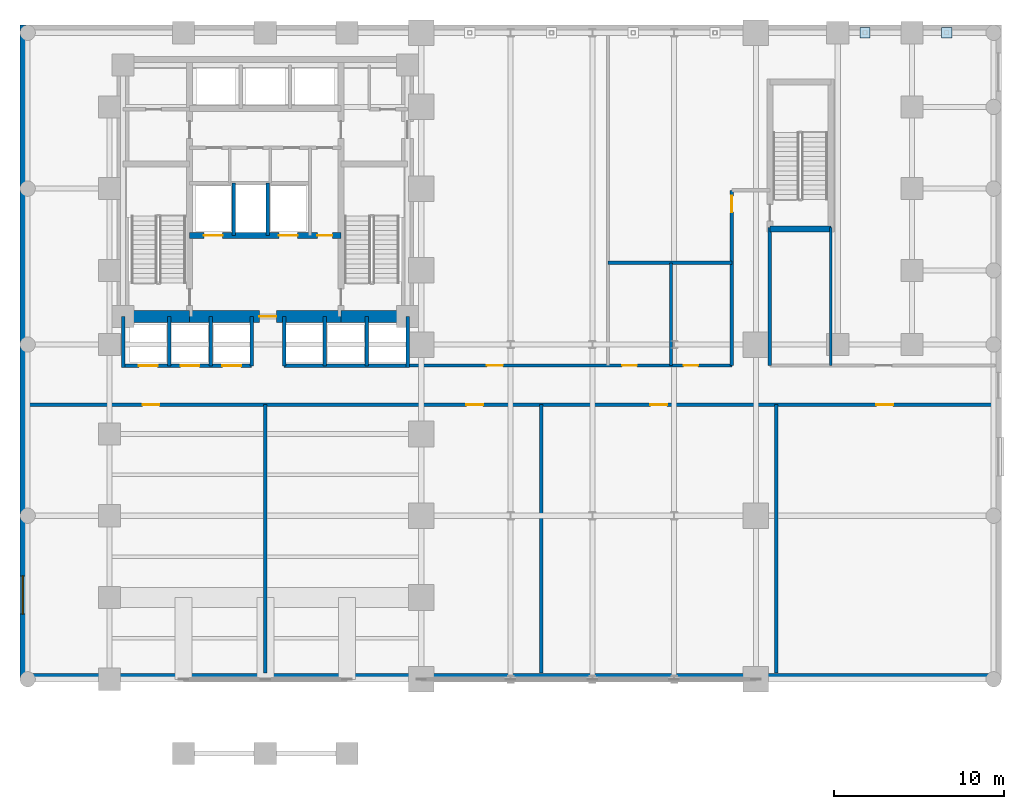
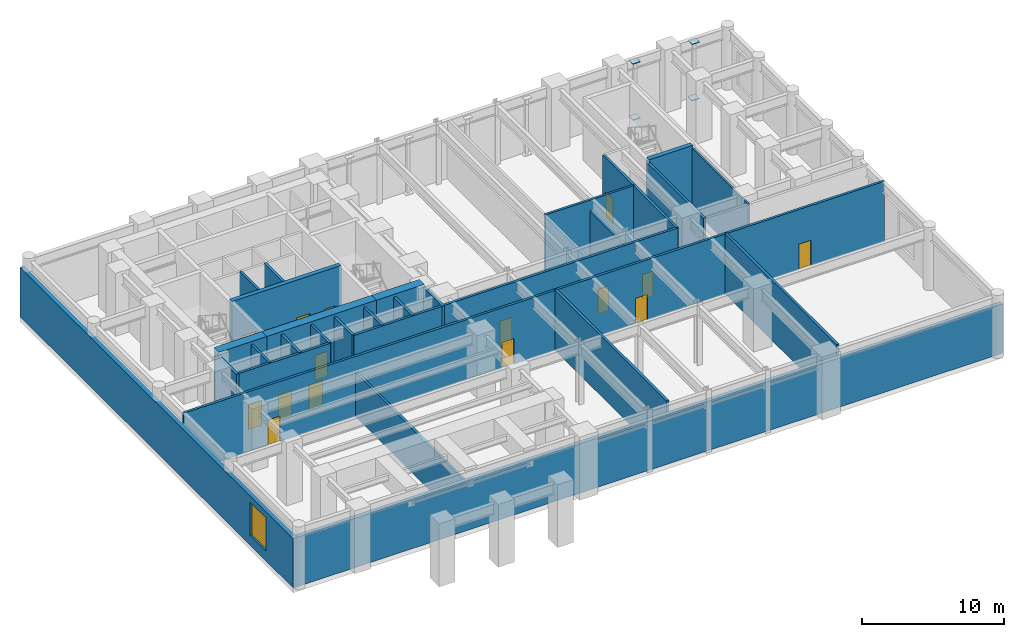
# One storey, part 6 of 10: 29 walls, 15 doors, 4 plates, 1 window, 16 openings.
"""IFC4 building model written with IfcOpenShell, lengths in metres."""

from ifc_helpers import new_model, si_unit, direction, frame, frame_2d, origin, origin_2d, place, context, subcontext, project, spatial, rectangle, extrude, material, layer, layer_set, type_object, element, fill, save


model = new_model("IFC4")

# Units and contexts
model_context = context("Model", 3, precision=1e-05, world=origin(), true_north=direction((0.0, 1.0)))
body_context = subcontext(model_context, "Body", "Model", "MODEL_VIEW")
ifc_project = project(units=[si_unit("LENGTHUNIT", "METRE"), si_unit("AREAUNIT", "SQUARE_METRE"), si_unit("VOLUMEUNIT", "CUBIC_METRE"), si_unit("PLANEANGLEUNIT", "RADIAN"), si_unit("MASSUNIT", "GRAM", prefix="KILO")], contexts=[model_context])

# Site, building, storey
site_placement = place(None, origin())
site = spatial("IfcSite", under=ifc_project, at=site_placement, CompositionType="ELEMENT")
building_placement = place(site_placement, origin())
building = spatial("IfcBuilding", under=site, at=building_placement, Name="Orvandelia Arch Residences", CompositionType="ELEMENT")
storey_placement = place(building_placement, frame((0.0, 0.0, 19.60009765625)))
storey = spatial("IfcBuildingStorey", under=building, at=storey_placement, Name="L04", CompositionType="ELEMENT", Elevation=19.60009765625)

# Plates
ifc_material_1 = material(Name="Structural Steel HSA650 (650 MPa)", Category="steel")
ifc_layer_1 = layer(ifc_material_1, 0.050048828125, Name="Structural Steel HSA650 (650 MPa)", Category="steel")
ifc_layer_set_1 = layer_set([ifc_layer_1], Name="Structural Steel HSA650 (650 MPa)")
plate_type = type_object("IfcPlateType", Name="PLT-BASE-600", PredefinedType="USERDEFINED", material=ifc_layer_set_1)
for number, where, z_axis, x_axis, name in (
    (1, (49.60009765625, 47.550048828125, 0.0), (0.0, 0.0, 1.0), (1.0, 0.0, 0.0), "Stiffener Post Base Plate BP-5"),
    (2, (49.60009765625, 47.550048828125, 4.82470703125), (0.0, 0.0, 1.0), (1.0, 0.0, 0.0), "Stiffener Post Cap Plate BP-5"),
    (3, (54.39990234375, 47.550048828125, 0.0), (0.0, 0.0, 1.0), (1.0, 0.0, 0.0), "Stiffener Post Base Plate BP-6"),
    (4, (54.39990234375, 47.550048828125, 4.82470703125), (0.0, 0.0, 1.0), (1.0, 0.0, 0.0), "Stiffener Post Cap Plate BP-6"),
):
    element("IfcPlate", number, at=place(storey_placement, frame(where, z_axis=z_axis, x_axis=x_axis)), inside=storey, type_object=plate_type, Name=name, ObjectType="BASE_PLATE", PredefinedType="USERDEFINED", context=body_context, shape_type="SweptSolid", body=[
        extrude(rectangle(XDim=0.60009765625, YDim=0.60009765625, at=origin_2d()), origin(), (0.0, 0.0, 1.0), 0.050048828125),
    ])

# Wall, openings, doors
ifc_material_2 = material(Name="Concrete C50/60", Category="concrete")
ifc_layer_2 = layer(ifc_material_2, 0.35009765625, Name="Concrete C50/60", Category="concrete")
ifc_layer_set_2 = layer_set([ifc_layer_2], Name="Concrete C50/60")
wall_type_1 = type_object("IfcWallType", Name="WL-CORE-350", PredefinedType="SHEAR", material=ifc_layer_set_2)
wall_1_placement = place(storey_placement, frame((9.9599609375, 35.64990234375, 0.0), z_axis=(0.0, 0.0, 1.0), x_axis=(1.0, 0.0, 0.0)))
wall_1 = element("IfcWall", 5, at=wall_1_placement, inside=storey, type_object=wall_type_1, Name="Core Shear Wall L04-HZ3", PredefinedType="SHEAR", context=body_context, shape_type="SweptSolid", body=[
    extrude(rectangle(XDim=8.880126953125, YDim=0.35009765625, at=frame_2d((4.43994140625, 0.0))), origin(), (0.0, 0.0, 1.0), 5.39990234375),
])
opening_1_placement = place(wall_1_placement, frame((0.840087890625, 0.0, 0.0)))
opening_1 = element("IfcOpeningElement", 6, at=opening_1_placement, cuts=wall_1, Name="Opening FLD", PredefinedType="OPENING", context=body_context, shape_type="SweptSolid", body=[
    extrude(rectangle(XDim=1.10009765625, YDim=2.14990234375, at=frame_2d((0.550048828125, 1.074951171875))), frame((0.0, 0.18505859375, 0.0), z_axis=(0.0, -1.0, 0.0), x_axis=(1.0, 0.0, 0.0)), (0.0, 0.0, 1.0), 0.3701171875),
])
opening_2_placement = place(wall_1_placement, frame((5.239990234375, 0.0, 0.0)))
opening_2 = element("IfcOpeningElement", 7, at=opening_2_placement, cuts=wall_1, Name="Opening FLD", PredefinedType="OPENING", context=body_context, shape_type="SweptSolid", body=[
    extrude(rectangle(XDim=1.10009765625, YDim=2.14990234375, at=frame_2d((0.550048828125, 1.074951171875))), frame((0.0, 0.18505859375, 0.0), z_axis=(0.0, -1.0, 0.0), x_axis=(1.0, 0.0, 0.0)), (0.0, 0.0, 1.0), 0.3701171875),
])
opening_3_placement = place(wall_1_placement, frame((7.5, 0.0, 0.0)))
opening_3 = element("IfcOpeningElement", 8, at=opening_3_placement, cuts=wall_1, Name="Opening D5", PredefinedType="OPENING", context=body_context, shape_type="SweptSolid", body=[
    extrude(rectangle(XDim=0.8798828125, YDim=2.10009765625, at=frame_2d((0.43994140625, 1.050048828125))), frame((0.0, 0.18505859375, 0.0), z_axis=(0.0, -1.0, 0.0), x_axis=(1.0, 0.0, 0.0)), (0.0, 0.0, 1.0), 0.3701171875),
])
ifc_material_3 = material(Name="Firefighting Lift Stainless Sliding Door")
door_type_1 = type_object("IfcDoorType", Name="DR-FLFT-1100", OperationType="NOTDEFINED", PredefinedType="DOOR", material=ifc_material_3)
door_1_placement = place(opening_1_placement, origin())
door_1 = element("IfcDoor", 9, at=door_1_placement, inside=storey, type_object=door_type_1, Name="Firefighting Lift Landing Door FLD-FL1-L04", OperationType="SLIDING_TO_LEFT", OverallHeight=2.14990234375, OverallWidth=1.10009765625, PredefinedType="DOOR", context=body_context, shape_type="SweptSolid", body=[
    extrude(rectangle(XDim=1.10009765625, YDim=2.14990234375, at=frame_2d((0.550048828125, 1.074951171875))), frame((0.0, 0.02490234375, 0.0), z_axis=(0.0, -1.0, 0.0), x_axis=(1.0, 0.0, 0.0)), (0.0, 0.0, 1.0), 0.050048828125),
])
fill(opening_1, door_1)
door_2_placement = place(opening_2_placement, origin())
door_2 = element("IfcDoor", 10, at=door_2_placement, inside=storey, type_object=door_type_1, Name="Firefighting Lift Landing Door FLD-FL2-L04", OperationType="SLIDING_TO_RIGHT", OverallHeight=2.14990234375, OverallWidth=1.10009765625, PredefinedType="DOOR", context=body_context, shape_type="SweptSolid", body=[
    extrude(rectangle(XDim=1.10009765625, YDim=2.14990234375, at=frame_2d((0.550048828125, 1.074951171875))), frame((0.0, 0.02490234375, 0.0), z_axis=(0.0, -1.0, 0.0), x_axis=(1.0, 0.0, 0.0)), (0.0, 0.0, 1.0), 0.050048828125),
])
fill(opening_2, door_2)
ifc_material_4 = material(Name="Painted Galvanised Steel Service Door", Category="steel")
door_type_2 = type_object("IfcDoorType", Name="DR-SRV-880", OperationType="NOTDEFINED", PredefinedType="DOOR", material=ifc_material_4)
door_3_placement = place(opening_3_placement, origin())
door_3 = element("IfcDoor", 11, at=door_3_placement, inside=storey, type_object=door_type_2, Name="Core Stairway Passage South Fire Door L04", OperationType="SINGLE_SWING_LEFT", OverallHeight=2.10009765625, OverallWidth=0.8798828125, PredefinedType="DOOR", context=body_context, shape_type="SweptSolid", body=[
    extrude(rectangle(XDim=0.8798828125, YDim=2.10009765625, at=frame_2d((0.43994140625, 1.050048828125))), frame((0.0, 0.02490234375, 0.0), z_axis=(0.0, -1.0, 0.0), x_axis=(1.0, 0.0, 0.0)), (0.0, 0.0, 1.0), 0.050048828125),
])
fill(opening_3, door_3)

# Walls
wall_2_placement = place(storey_placement, frame((44.02001953125, 36.0400390625, 0.0), z_axis=(0.0, 0.0, 1.0), x_axis=(1.0, 0.0, 0.0)))
element("IfcWall", 12, at=wall_2_placement, inside=storey, type_object=wall_type_1, Name="East Stair Core Shear Wall L04-S", PredefinedType="SHEAR", context=body_context, shape_type="SweptSolid", body=[
    extrude(rectangle(XDim=3.580078125, YDim=0.35009765625, at=frame_2d((1.7900390625, 0.0))), origin(), (0.0, 0.0, 1.0), 5.39990234375),
])
ifc_material_5 = material(Name="Concrete C80/95", Category="concrete")
ifc_layer_3 = layer(ifc_material_5, 0.699951171875, Name="Concrete C80/95", Category="concrete")
ifc_layer_set_3 = layer_set([ifc_layer_3], Name="Concrete C80/95")
wall_type_2 = type_object("IfcWallType", Name="WL-CORE-700", PredefinedType="SHEAR", material=ifc_layer_set_3)
wall_3_placement = place(storey_placement, frame((6.050048828125, 30.89990234375, 0.0), z_axis=(0.0, 0.0, 1.0), x_axis=(1.0, 0.0, 0.0)))
element("IfcWall", 13, at=wall_3_placement, inside=storey, type_object=wall_type_2, Name="Core Shear Wall L04-SW", PredefinedType="SHEAR", context=body_context, shape_type="SweptSolid", body=[
    extrude(rectangle(XDim=3.909912109375, YDim=0.699951171875, at=frame_2d((1.955078125, 0.0))), origin(), (0.0, 0.0, 1.0), 5.39990234375),
])

# Wall, opening, door
wall_4_placement = place(storey_placement, frame((9.9599609375, 30.89990234375, 0.0), z_axis=(0.0, 0.0, 1.0), x_axis=(1.0, 0.0, 0.0)))
wall_4 = element("IfcWall", 14, at=wall_4_placement, inside=storey, type_object=wall_type_2, Name="Core Shear Wall L04-SM", PredefinedType="SHEAR", context=body_context, shape_type="SweptSolid", body=[
    extrude(rectangle(XDim=8.880126953125, YDim=0.699951171875, at=frame_2d((4.43994140625, 0.0))), origin(), (0.0, 0.0, 1.0), 5.39990234375),
])
opening_4_placement = place(wall_4_placement, frame((4.090087890625, 0.0, 0.0)))
opening_4 = element("IfcOpeningElement", 15, at=opening_4_placement, cuts=wall_4, Name="Opening D6", PredefinedType="OPENING", context=body_context, shape_type="SweptSolid", body=[
    extrude(rectangle(XDim=1.0, YDim=2.14990234375, at=frame_2d((0.5, 1.074951171875))), frame((0.0, 0.35986328125, 0.0), z_axis=(0.0, -1.0, 0.0), x_axis=(1.0, 0.0, 0.0)), (0.0, 0.0, 1.0), 0.719970703125),
])
ifc_material_6 = material(Name="Smokeproof Painted Steel Fire Door", Category="steel")
door_type_3 = type_object("IfcDoorType", Name="DR-FD60-1000", OperationType="NOTDEFINED", PredefinedType="DOOR", material=ifc_material_6)
door_4_placement = place(opening_4_placement, origin())
door_4 = element("IfcDoor", 16, at=door_4_placement, inside=storey, type_object=door_type_3, Name="Firefighting Lobby Smokeproof Door L04", OperationType="SINGLE_SWING_LEFT", OverallHeight=2.14990234375, OverallWidth=1.0, PredefinedType="DOOR", context=body_context, shape_type="SweptSolid", body=[
    extrude(rectangle(XDim=1.0, YDim=2.14990234375, at=frame_2d((0.5, 1.074951171875))), frame((0.0, 0.02490234375, 0.0), z_axis=(0.0, -1.0, 0.0), x_axis=(1.0, 0.0, 0.0)), (0.0, 0.0, 1.0), 0.050048828125),
])
fill(opening_4, door_4)

# Wall
wall_5_placement = place(storey_placement, frame((18.840087890625, 30.89990234375, 0.0), z_axis=(0.0, 0.0, 1.0), x_axis=(1.0, 0.0, 0.0)))
element("IfcWall", 17, at=wall_5_placement, inside=storey, type_object=wall_type_2, Name="Core Shear Wall L04-SE", PredefinedType="SHEAR", context=body_context, shape_type="SweptSolid", body=[
    extrude(rectangle(XDim=3.909912109375, YDim=0.699951171875, at=frame_2d((1.955078125, 0.0))), origin(), (0.0, 0.0, 1.0), 5.39990234375),
])

# Wall, openings, doors
ifc_material_7 = material(Name="Fire-Rated Corridor Partition")
ifc_layer_4 = layer(ifc_material_7, 0.199951171875, Name="Fire-Rated Corridor Partition")
ifc_layer_set_4 = layer_set([ifc_layer_4], Name="Fire-Rated Corridor Partition")
wall_type_3 = type_object("IfcWallType", Name="WL-CORR-200", PredefinedType="PARTITIONING", material=ifc_layer_set_4)
wall_6_placement = place(storey_placement, frame((0.360107421875, 25.719970703125, 0.0), z_axis=(0.0, 0.0, 1.0), x_axis=(1.0, 0.0, 0.0)))
wall_6 = element("IfcWall", 18, at=wall_6_placement, inside=storey, type_object=wall_type_3, Name="Interior Partition Wall WL-L04-BRG-S", PredefinedType="PARTITIONING", context=body_context, shape_type="SweptSolid", body=[
    extrude(rectangle(XDim=56.8798828125, YDim=0.199951171875, at=frame_2d((28.43994140625, 0.0))), origin(), (0.0, 0.0, 1.0), 5.14990234375),
])
opening_5_placement = place(wall_6_placement, frame((6.840087890625, 0.0, 0.0)))
opening_5 = element("IfcOpeningElement", 19, at=opening_5_placement, cuts=wall_6, Name="Opening D1", PredefinedType="OPENING", context=body_context, shape_type="SweptSolid", body=[
    extrude(rectangle(XDim=0.97998046875, YDim=2.179931640625, at=frame_2d((0.489990234375, 1.08984375))), frame((0.0, 0.10986328125, 0.0), z_axis=(0.0, -1.0, 0.0), x_axis=(1.0, 0.0, 0.0)), (0.0, 0.0, 1.0), 0.219970703125),
])
opening_6_placement = place(wall_6_placement, frame((25.840087890625, 0.0, 0.0)))
opening_6 = element("IfcOpeningElement", 20, at=opening_6_placement, cuts=wall_6, Name="Opening D1", PredefinedType="OPENING", context=body_context, shape_type="SweptSolid", body=[
    extrude(rectangle(XDim=0.97998046875, YDim=2.179931640625, at=frame_2d((0.489990234375, 1.08984375))), frame((0.0, 0.10986328125, 0.0), z_axis=(0.0, -1.0, 0.0), x_axis=(1.0, 0.0, 0.0)), (0.0, 0.0, 1.0), 0.219970703125),
])
opening_7_placement = place(wall_6_placement, frame((36.639892578125, 0.0, 0.0)))
opening_7 = element("IfcOpeningElement", 21, at=opening_7_placement, cuts=wall_6, Name="Opening D1", PredefinedType="OPENING", context=body_context, shape_type="SweptSolid", body=[
    extrude(rectangle(XDim=0.97998046875, YDim=2.179931640625, at=frame_2d((0.489990234375, 1.08984375))), frame((0.0, 0.10986328125, 0.0), z_axis=(0.0, -1.0, 0.0), x_axis=(1.0, 0.0, 0.0)), (0.0, 0.0, 1.0), 0.219970703125),
])
opening_8_placement = place(wall_6_placement, frame((49.9150390625, 0.0, 0.0)))
opening_8 = element("IfcOpeningElement", 22, at=opening_8_placement, cuts=wall_6, Name="Opening D1", PredefinedType="OPENING", context=body_context, shape_type="SweptSolid", body=[
    extrude(rectangle(XDim=0.97998046875, YDim=2.179931640625, at=frame_2d((0.489990234375, 1.08984375))), frame((0.0, 0.10986328125, 0.0), z_axis=(0.0, -1.0, 0.0), x_axis=(1.0, 0.0, 0.0)), (0.0, 0.0, 1.0), 0.219970703125),
])
ifc_material_8 = material(Name="Solid-Core Timber Acoustic Fire Door", Category="wood")
door_type_4 = type_object("IfcDoorType", Name="DR-ENT-980", OperationType="NOTDEFINED", PredefinedType="DOOR", material=ifc_material_8)
door_5_placement = place(opening_5_placement, origin())
door_5 = element("IfcDoor", 23, at=door_5_placement, inside=storey, type_object=door_type_4, Name="DR-L04-PS1", OperationType="SINGLE_SWING_LEFT", OverallHeight=2.179931640625, OverallWidth=0.97998046875, PredefinedType="DOOR", context=body_context, shape_type="SweptSolid", body=[
    extrude(rectangle(XDim=0.97998046875, YDim=2.179931640625, at=frame_2d((0.489990234375, 1.08984375))), frame((0.0, 0.02490234375, 0.0), z_axis=(0.0, -1.0, 0.0), x_axis=(1.0, 0.0, 0.0)), (0.0, 0.0, 1.0), 0.050048828125),
])
fill(opening_5, door_5)
door_6_placement = place(opening_6_placement, origin())
door_6 = element("IfcDoor", 24, at=door_6_placement, inside=storey, type_object=door_type_4, Name="DR-L04-PS2", OperationType="SINGLE_SWING_RIGHT", OverallHeight=2.179931640625, OverallWidth=0.97998046875, PredefinedType="DOOR", context=body_context, shape_type="SweptSolid", body=[
    extrude(rectangle(XDim=0.97998046875, YDim=2.179931640625, at=frame_2d((0.489990234375, 1.08984375))), frame((0.0, 0.02490234375, 0.0), z_axis=(0.0, -1.0, 0.0), x_axis=(1.0, 0.0, 0.0)), (0.0, 0.0, 1.0), 0.050048828125),
])
fill(opening_6, door_6)
door_7_placement = place(opening_7_placement, origin())
door_7 = element("IfcDoor", 25, at=door_7_placement, inside=storey, type_object=door_type_4, Name="DR-L04-PS3", OperationType="SINGLE_SWING_LEFT", OverallHeight=2.179931640625, OverallWidth=0.97998046875, PredefinedType="DOOR", context=body_context, shape_type="SweptSolid", body=[
    extrude(rectangle(XDim=0.97998046875, YDim=2.179931640625, at=frame_2d((0.489990234375, 1.08984375))), frame((0.0, 0.02490234375, 0.0), z_axis=(0.0, -1.0, 0.0), x_axis=(1.0, 0.0, 0.0)), (0.0, 0.0, 1.0), 0.050048828125),
])
fill(opening_7, door_7)
door_8_placement = place(opening_8_placement, origin())
door_8 = element("IfcDoor", 26, at=door_8_placement, inside=storey, type_object=door_type_4, Name="DR-L04-PS4", OperationType="SINGLE_SWING_RIGHT", OverallHeight=2.179931640625, OverallWidth=0.97998046875, PredefinedType="DOOR", context=body_context, shape_type="SweptSolid", body=[
    extrude(rectangle(XDim=0.97998046875, YDim=2.179931640625, at=frame_2d((0.489990234375, 1.08984375))), frame((0.0, 0.02490234375, 0.0), z_axis=(0.0, -1.0, 0.0), x_axis=(1.0, 0.0, 0.0)), (0.0, 0.0, 1.0), 0.050048828125),
])
fill(opening_8, door_8)

wall_7_placement = place(storey_placement, frame((22.75, 28.02001953125, 0.0), z_axis=(0.0, 0.0, 1.0), x_axis=(1.0, 0.0, 0.0)))
wall_7 = element("IfcWall", 27, at=wall_7_placement, inside=storey, type_object=wall_type_3, Name="Interior Partition Wall WL-L04-BRG-N", PredefinedType="PARTITIONING", context=body_context, shape_type="SweptSolid", body=[
    extrude(rectangle(XDim=19.030029296875, YDim=0.199951171875, at=frame_2d((9.51513671875, 0.0))), origin(), (0.0, 0.0, 1.0), 5.14990234375),
])
opening_9_placement = place(wall_7_placement, frame((4.64990234375, 0.0, 0.0)))
opening_9 = element("IfcOpeningElement", 28, at=opening_9_placement, cuts=wall_7, Name="Opening D2", PredefinedType="OPENING", context=body_context, shape_type="SweptSolid", body=[
    extrude(rectangle(XDim=0.949951171875, YDim=2.14990234375, at=frame_2d((0.47509765625, 1.074951171875))), frame((0.0, 0.10986328125, 0.0), z_axis=(0.0, -1.0, 0.0), x_axis=(1.0, 0.0, 0.0)), (0.0, 0.0, 1.0), 0.219970703125),
])
opening_10_placement = place(wall_7_placement, frame((12.60009765625, 0.0, 0.0)))
opening_10 = element("IfcOpeningElement", 29, at=opening_10_placement, cuts=wall_7, Name="Opening D4", PredefinedType="OPENING", context=body_context, shape_type="SweptSolid", body=[
    extrude(rectangle(XDim=0.860107421875, YDim=2.10009765625, at=frame_2d((0.43017578125, 1.050048828125))), frame((0.0, 0.10986328125, 0.0), z_axis=(0.0, -1.0, 0.0), x_axis=(1.0, 0.0, 0.0)), (0.0, 0.0, 1.0), 0.219970703125),
])
opening_11_placement = place(wall_7_placement, frame((16.199951171875, 0.0, 0.0)))
opening_11 = element("IfcOpeningElement", 30, at=opening_11_placement, cuts=wall_7, Name="Opening D4", PredefinedType="OPENING", context=body_context, shape_type="SweptSolid", body=[
    extrude(rectangle(XDim=0.860107421875, YDim=2.10009765625, at=frame_2d((0.43017578125, 1.050048828125))), frame((0.0, 0.10986328125, 0.0), z_axis=(0.0, -1.0, 0.0), x_axis=(1.0, 0.0, 0.0)), (0.0, 0.0, 1.0), 0.219970703125),
])
ifc_material_9 = material(Name="Solid-Core Timber Interior Fire Door", Category="wood")
door_type_5 = type_object("IfcDoorType", Name="DR-APT-950", OperationType="NOTDEFINED", PredefinedType="DOOR", material=ifc_material_9)
door_9_placement = place(opening_9_placement, origin())
door_9 = element("IfcDoor", 31, at=door_9_placement, inside=storey, type_object=door_type_5, Name="DR-L04-PN1", OperationType="SINGLE_SWING_LEFT", OverallHeight=2.14990234375, OverallWidth=0.949951171875, PredefinedType="DOOR", context=body_context, shape_type="SweptSolid", body=[
    extrude(rectangle(XDim=0.949951171875, YDim=2.14990234375, at=frame_2d((0.47509765625, 1.074951171875))), frame((0.0, 0.02490234375, 0.0), z_axis=(0.0, -1.0, 0.0), x_axis=(1.0, 0.0, 0.0)), (0.0, 0.0, 1.0), 0.050048828125),
])
fill(opening_9, door_9)
ifc_material_10 = material(Name="Moisture-Sealed Timber Bathroom Door", Category="wood")
door_type_6 = type_object("IfcDoorType", Name="DR-WET-900", OperationType="NOTDEFINED", PredefinedType="DOOR", material=ifc_material_10)
door_10_placement = place(opening_10_placement, origin())
door_10 = element("IfcDoor", 32, at=door_10_placement, inside=storey, type_object=door_type_6, Name="DR-L04-PWC", OperationType="SINGLE_SWING_RIGHT", OverallHeight=2.10009765625, OverallWidth=0.860107421875, PredefinedType="DOOR", context=body_context, shape_type="SweptSolid", body=[
    extrude(rectangle(XDim=0.860107421875, YDim=2.10009765625, at=frame_2d((0.43017578125, 1.050048828125))), frame((0.0, 0.02490234375, 0.0), z_axis=(0.0, -1.0, 0.0), x_axis=(1.0, 0.0, 0.0)), (0.0, 0.0, 1.0), 0.050048828125),
])
fill(opening_10, door_10)
door_11_placement = place(opening_11_placement, origin())
door_11 = element("IfcDoor", 33, at=door_11_placement, inside=storey, type_object=door_type_6, Name="DR-L04-PWCA", OperationType="SINGLE_SWING_LEFT", OverallHeight=2.10009765625, OverallWidth=0.860107421875, PredefinedType="DOOR", context=body_context, shape_type="SweptSolid", body=[
    extrude(rectangle(XDim=0.860107421875, YDim=2.10009765625, at=frame_2d((0.43017578125, 1.050048828125))), frame((0.0, 0.02490234375, 0.0), z_axis=(0.0, -1.0, 0.0), x_axis=(1.0, 0.0, 0.0)), (0.0, 0.0, 1.0), 0.050048828125),
])
fill(opening_11, door_11)

# Wall, opening, door
wall_8_placement = place(storey_placement, frame((41.780029296875, 28.02001953125, 0.0), z_axis=(0.0, 0.0, 1.0), x_axis=(0.0, 1.0, 0.0)))
wall_8 = element("IfcWall", 34, at=wall_8_placement, inside=storey, type_object=wall_type_3, Name="Interior Partition Wall WL-L04-BRG-SW", PredefinedType="PARTITIONING", context=body_context, shape_type="SweptSolid", body=[
    extrude(rectangle(XDim=10.280029296875, YDim=0.199951171875, at=frame_2d((5.14013671875, 0.0))), origin(), (0.0, 0.0, 1.0), 5.14990234375),
])
opening_12_placement = place(wall_8_placement, frame((9.0, 0.0, 0.0)))
opening_12 = element("IfcOpeningElement", 35, at=opening_12_placement, cuts=wall_8, Name="Opening D2", PredefinedType="OPENING", context=body_context, shape_type="SweptSolid", body=[
    extrude(rectangle(XDim=0.949951171875, YDim=2.14990234375, at=frame_2d((0.47509765625, 1.074951171875))), frame((0.0, 0.10986328125, 0.0), z_axis=(0.0, -1.0, 0.0), x_axis=(1.0, 0.0, 0.0)), (0.0, 0.0, 1.0), 0.219970703125),
])
door_12_placement = place(opening_12_placement, origin())
door_12 = element("IfcDoor", 36, at=door_12_placement, inside=storey, type_object=door_type_5, Name="DR-L04-PN2", OperationType="SINGLE_SWING_RIGHT", OverallHeight=2.14990234375, OverallWidth=0.949951171875, PredefinedType="DOOR", context=body_context, shape_type="SweptSolid", body=[
    extrude(rectangle(XDim=0.949951171875, YDim=2.14990234375, at=frame_2d((0.47509765625, 1.074951171875))), frame((0.0, 0.02490234375, 0.0), z_axis=(0.0, -1.0, 0.0), x_axis=(1.0, 0.0, 0.0)), (0.0, 0.0, 1.0), 0.050048828125),
])
fill(opening_12, door_12)

# Walls
wall_9_placement = place(storey_placement, frame((44.02001953125, 28.02001953125, 0.0), z_axis=(0.0, 0.0, 1.0), x_axis=(0.0, 1.0, 0.0)))
element("IfcWall", 37, at=wall_9_placement, inside=storey, type_object=wall_type_3, Name="Interior Partition Wall WL-L04-BRG-SE", PredefinedType="PARTITIONING", context=body_context, shape_type="SweptSolid", body=[
    extrude(rectangle(XDim=8.10009765625, YDim=0.199951171875, at=frame_2d((4.050048828125, 0.0))), origin(), (0.0, 0.0, 1.0), 5.14990234375),
])
ifc_material_11 = material(Name="Concrete C40/50", Category="concrete")
ifc_layer_5 = layer(ifc_material_11, 0.199951171875, Name="Concrete C40/50", Category="concrete")
ifc_layer_set_5 = layer_set([ifc_layer_5], Name="Concrete C40/50")
wall_type_4 = type_object("IfcWallType", Name="WL-DEM-200", PredefinedType="SOLIDWALL", material=ifc_layer_set_5)
wall_10_placement = place(storey_placement, frame((14.39990234375, 9.9599609375, 0.0), z_axis=(0.0, 0.0, 1.0), x_axis=(0.0, 1.0, 0.0)))
element("IfcWall", 38, at=wall_10_placement, inside=storey, type_object=wall_type_4, Name="Interior Partition Wall WL-L04-SD-1", PredefinedType="SOLIDWALL", context=body_context, shape_type="SweptSolid", body=[
    extrude(rectangle(XDim=15.760009765625, YDim=0.199951171875, at=frame_2d((7.8798828125, 0.0))), origin(), (0.0, 0.0, 1.0), 3.77978515625),
])
for number, where, z_axis, x_axis, name in (
    (39, (30.60009765625, 9.9599609375, 0.0), (0.0, 0.0, 1.0), (0.0, 1.0, 0.0), "Interior Partition Wall WL-L04-SD-2"),
    (40, (44.39990234375, 9.9599609375, 0.0), (0.0, 0.0, 1.0), (0.0, 1.0, 0.0), "Interior Partition Wall WL-L04-SD-3"),
):
    element("IfcWall", number, at=place(storey_placement, frame(where, z_axis=z_axis, x_axis=x_axis)), inside=storey, type_object=wall_type_4, Name=name, PredefinedType="SOLIDWALL", context=body_context, shape_type="SweptSolid", body=[
        extrude(rectangle(XDim=15.760009765625, YDim=0.199951171875, at=frame_2d((7.8798828125, 0.0))), origin(), (0.0, 0.0, 1.0), 5.14990234375),
    ])
ifc_material_12 = material(Name="Precast concrete C40/50", Category="concrete")
ifc_layer_6 = layer(ifc_material_12, 0.35009765625, Name="Precast concrete C40/50", Category="concrete")
ifc_layer_set_6 = layer_set([ifc_layer_6], Name="Precast concrete C40/50")
wall_type_5 = type_object("IfcWallType", Name="WL-EXT-POD-350", PredefinedType="STANDARD", material=ifc_layer_set_6)
wall_11_placement = place(storey_placement, frame((57.60009765625, 9.77490234375, 0.0), z_axis=(0.0, 0.0, 1.0), x_axis=(-1.0, 0.0, 0.0)))
element("IfcWall", 41, at=wall_11_placement, inside=storey, type_object=wall_type_5, Name="Coral-Limestone Precast Facade Wall L04-003", PredefinedType="STANDARD", context=body_context, shape_type="SweptSolid", body=[
    extrude(rectangle(XDim=57.60009765625, YDim=0.35009765625, at=frame_2d((28.800048828125, 0.0))), origin(), (0.0, 0.0, 1.0), 4.22998046875),
])

# Wall, opening, window
wall_12_placement = place(storey_placement, frame((0.175048828125, 9.60009765625, 0.0), z_axis=(0.0, 0.0, 1.0), x_axis=(0.0, 1.0, 0.0)))
wall_12 = element("IfcWall", 42, at=wall_12_placement, inside=storey, type_object=wall_type_5, Name="Coral-Limestone Precast Facade Wall L04-004", PredefinedType="STANDARD", context=body_context, shape_type="SweptSolid", body=[
    extrude(rectangle(XDim=38.39990234375, YDim=0.35009765625, at=frame_2d((19.199951171875, 0.0))), origin(), (0.0, 0.0, 1.0), 4.22998046875),
])
opening_13_placement = place(wall_12_placement, frame((3.824951171875, 0.0, 0.85009765625)))
opening_13 = element("IfcOpeningElement", 43, at=opening_13_placement, cuts=wall_12, Name="Opening W13", PredefinedType="OPENING", context=body_context, shape_type="SweptSolid", body=[
    extrude(rectangle(XDim=2.25, YDim=2.85009765625, at=frame_2d((1.125, 1.425048828125))), frame((0.0, 0.18505859375, 0.0), z_axis=(0.0, -1.0, 0.0), x_axis=(1.0, 0.0, 0.0)), (0.0, 0.0, 1.0), 0.3701171875),
])
ifc_material_13 = material(Name="Laminated Acoustic Double Glazing", Category="glass")
window_type = type_object("IfcWindowType", Name="WIN-GAL-2250x2850", PartitioningType="SINGLE_PANEL", PredefinedType="WINDOW", material=ifc_material_13)
window_placement = place(opening_13_placement, origin())
window = element("IfcWindow", 44, at=window_placement, inside=storey, type_object=window_type, Name="Recessed Punched Window L04-004", OverallHeight=2.85009765625, OverallWidth=2.25, PartitioningType="SINGLE_PANEL", PredefinedType="WINDOW", context=body_context, shape_type="SweptSolid", body=[
    extrude(rectangle(XDim=2.25, YDim=2.85009765625, at=frame_2d((1.125, 1.425048828125))), frame((0.0, 0.030029296875, 0.0), z_axis=(0.0, -1.0, 0.0), x_axis=(1.0, 0.0, 0.0)), (0.0, 0.0, 1.0), 0.06005859375),
])
fill(opening_13, window)

# Walls
ifc_material_14 = material(Name="Acoustic Gypsum Stud Partition")
ifc_layer_7 = layer(ifc_material_14, 0.14990234375, Name="Acoustic Gypsum Stud Partition")
ifc_layer_set_7 = layer_set([ifc_layer_7], Name="Acoustic Gypsum Stud Partition")
wall_type_6 = type_object("IfcWallType", Name="WL-PART-150", PredefinedType="PARTITIONING", material=ifc_layer_set_7)
wall_13_placement = place(storey_placement, frame((47.60009765625, 28.02001953125, 0.0), z_axis=(0.0, 0.0, 1.0), x_axis=(0.0, 1.0, 0.0)))
element("IfcWall", 45, at=wall_13_placement, inside=storey, type_object=wall_type_6, Name="Interior Partition Wall WL-L04-PNE-W", PredefinedType="PARTITIONING", context=body_context, shape_type="SweptSolid", body=[
    extrude(rectangle(XDim=8.10009765625, YDim=0.14990234375, at=frame_2d((4.050048828125, 0.0))), origin(), (0.0, 0.0, 1.0), 5.14990234375),
])
ifc_material_15 = material(Name="Fire-Rated Shaft Enclosure Wall")
ifc_layer_8 = layer(ifc_material_15, 0.199951171875, Name="Fire-Rated Shaft Enclosure Wall")
ifc_layer_set_8 = layer_set([ifc_layer_8], Name="Fire-Rated Shaft Enclosure Wall")
wall_type_7 = type_object("IfcWallType", Name="WL-SHAFT-200", PredefinedType="POLYGONAL", material=ifc_layer_set_8)
for number, where, z_axis, x_axis, name in (
    (46, (12.550048828125, 35.64990234375, 0.0), (0.0, 0.0, 1.0), (0.0, 1.0, 0.0), "Interior Partition Wall WL-L04-FLM1"),
    (47, (14.550048828125, 35.64990234375, 0.0), (0.0, 0.0, 1.0), (0.0, 1.0, 0.0), "Interior Partition Wall WL-L04-FLM2"),
):
    element("IfcWall", number, at=place(storey_placement, frame(where, z_axis=z_axis, x_axis=x_axis)), inside=storey, type_object=wall_type_7, Name=name, PredefinedType="POLYGONAL", context=body_context, shape_type="SweptSolid", body=[
        extrude(rectangle(XDim=3.070068359375, YDim=0.199951171875, at=frame_2d((1.53515625, 0.0))), origin(), (0.0, 0.0, 1.0), 5.14990234375),
    ])

# Wall, openings, doors
wall_14_placement = place(storey_placement, frame((6.050048828125, 28.0, 0.0), z_axis=(0.0, 0.0, 1.0), x_axis=(1.0, 0.0, 0.0)))
wall_14 = element("IfcWall", 48, at=wall_14_placement, inside=storey, type_object=wall_type_7, Name="Interior Partition Wall WL-L04-BNKL-S", PredefinedType="POLYGONAL", context=body_context, shape_type="SweptSolid", body=[
    extrude(rectangle(XDim=7.550048828125, YDim=0.199951171875, at=frame_2d((3.77490234375, 0.0))), origin(), (0.0, 0.0, 1.0), 5.14990234375),
])
opening_14_placement = place(wall_14_placement, frame((0.925048828125, 0.0, 0.0)))
opening_14 = element("IfcOpeningElement", 49, at=opening_14_placement, cuts=wall_14, Name="Opening LD", PredefinedType="OPENING", context=body_context, shape_type="SweptSolid", body=[
    extrude(rectangle(XDim=1.10009765625, YDim=2.14990234375, at=frame_2d((0.550048828125, 1.074951171875))), frame((0.0, 0.10986328125, 0.0), z_axis=(0.0, -1.0, 0.0), x_axis=(1.0, 0.0, 0.0)), (0.0, 0.0, 1.0), 0.219970703125),
])
opening_15_placement = place(wall_14_placement, frame((3.375, 0.0, 0.0)))
opening_15 = element("IfcOpeningElement", 50, at=opening_15_placement, cuts=wall_14, Name="Opening LD", PredefinedType="OPENING", context=body_context, shape_type="SweptSolid", body=[
    extrude(rectangle(XDim=1.10009765625, YDim=2.14990234375, at=frame_2d((0.550048828125, 1.074951171875))), frame((0.0, 0.10986328125, 0.0), z_axis=(0.0, -1.0, 0.0), x_axis=(1.0, 0.0, 0.0)), (0.0, 0.0, 1.0), 0.219970703125),
])
opening_16_placement = place(wall_14_placement, frame((5.824951171875, 0.0, 0.0)))
opening_16 = element("IfcOpeningElement", 51, at=opening_16_placement, cuts=wall_14, Name="Opening LD", PredefinedType="OPENING", context=body_context, shape_type="SweptSolid", body=[
    extrude(rectangle(XDim=1.10009765625, YDim=2.14990234375, at=frame_2d((0.550048828125, 1.074951171875))), frame((0.0, 0.10986328125, 0.0), z_axis=(0.0, -1.0, 0.0), x_axis=(1.0, 0.0, 0.0)), (0.0, 0.0, 1.0), 0.219970703125),
])
ifc_material_16 = material(Name="Brushed Stainless Steel Sliding Lift Door", Category="steel")
door_type_7 = type_object("IfcDoorType", Name="DR-LIFT-1100", OperationType="NOTDEFINED", PredefinedType="DOOR", material=ifc_material_16)
door_13_placement = place(opening_14_placement, origin())
door_13 = element("IfcDoor", 52, at=door_13_placement, inside=storey, type_object=door_type_7, Name="Lift Landing Door LD-PL1", OperationType="SLIDING_TO_LEFT", OverallHeight=2.14990234375, OverallWidth=1.10009765625, PredefinedType="DOOR", context=body_context, shape_type="SweptSolid", body=[
    extrude(rectangle(XDim=1.10009765625, YDim=2.14990234375, at=frame_2d((0.550048828125, 1.074951171875))), frame((0.0, 0.02490234375, 0.0), z_axis=(0.0, -1.0, 0.0), x_axis=(1.0, 0.0, 0.0)), (0.0, 0.0, 1.0), 0.050048828125),
])
fill(opening_14, door_13)
door_14_placement = place(opening_15_placement, origin())
door_14 = element("IfcDoor", 53, at=door_14_placement, inside=storey, type_object=door_type_7, Name="Lift Landing Door LD-PL2", OperationType="SLIDING_TO_RIGHT", OverallHeight=2.14990234375, OverallWidth=1.10009765625, PredefinedType="DOOR", context=body_context, shape_type="SweptSolid", body=[
    extrude(rectangle(XDim=1.10009765625, YDim=2.14990234375, at=frame_2d((0.550048828125, 1.074951171875))), frame((0.0, 0.02490234375, 0.0), z_axis=(0.0, -1.0, 0.0), x_axis=(1.0, 0.0, 0.0)), (0.0, 0.0, 1.0), 0.050048828125),
])
fill(opening_15, door_14)
door_15_placement = place(opening_16_placement, origin())
door_15 = element("IfcDoor", 54, at=door_15_placement, inside=storey, type_object=door_type_7, Name="Lift Landing Door LD-PL3", OperationType="SLIDING_TO_LEFT", OverallHeight=2.14990234375, OverallWidth=1.10009765625, PredefinedType="DOOR", context=body_context, shape_type="SweptSolid", body=[
    extrude(rectangle(XDim=1.10009765625, YDim=2.14990234375, at=frame_2d((0.550048828125, 1.074951171875))), frame((0.0, 0.02490234375, 0.0), z_axis=(0.0, -1.0, 0.0), x_axis=(1.0, 0.0, 0.0)), (0.0, 0.0, 1.0), 0.050048828125),
])
fill(opening_16, door_15)

# Walls
wall_15_placement = place(storey_placement, frame((15.5, 28.0, 0.0), z_axis=(0.0, 0.0, 1.0), x_axis=(1.0, 0.0, 0.0)))
element("IfcWall", 55, at=wall_15_placement, inside=storey, type_object=wall_type_7, Name="Interior Partition Wall WL-L04-BNKM-S", PredefinedType="POLYGONAL", context=body_context, shape_type="SweptSolid", body=[
    extrude(rectangle(XDim=7.25, YDim=0.199951171875, at=frame_2d((3.625, 0.0))), origin(), (0.0, 0.0, 1.0), 5.14990234375),
])
for number, where, z_axis, x_axis, name in (
    (56, (6.050048828125, 27.89990234375, 0.0), (0.0, 0.0, 1.0), (0.0, 1.0, 0.0), "Interior Partition Wall WL-L04-BNKL-W"),
    (57, (22.75, 27.89990234375, 0.0), (0.0, 0.0, 1.0), (0.0, 1.0, 0.0), "Interior Partition Wall WL-L04-BNKM-E"),
):
    element("IfcWall", number, at=place(storey_placement, frame(where, z_axis=z_axis, x_axis=x_axis)), inside=storey, type_object=wall_type_7, Name=name, PredefinedType="POLYGONAL", context=body_context, shape_type="SweptSolid", body=[
        extrude(rectangle(XDim=3.0, YDim=0.199951171875, at=frame_2d((1.5, 0.0))), origin(), (0.0, 0.0, 1.0), 5.14990234375),
    ])
for number, where, z_axis, x_axis, name in (
    (58, (13.60009765625, 28.0, 0.0), (0.0, 0.0, 1.0), (0.0, 1.0, 0.0), "Interior Partition Wall WL-L04-BNKL-E"),
    (59, (15.5, 28.0, 0.0), (0.0, 0.0, 1.0), (0.0, 1.0, 0.0), "Interior Partition Wall WL-L04-BNKM-W"),
    (60, (8.75, 28.0, 0.0), (0.0, 0.0, 1.0), (0.0, 1.0, 0.0), "Interior Partition Wall WL-L04-BNKD-875"),
    (61, (11.199951171875, 28.0, 0.0), (0.0, 0.0, 1.0), (0.0, 1.0, 0.0), "Interior Partition Wall WL-L04-BNKD-1120"),
    (62, (17.89990234375, 28.0, 0.0), (0.0, 0.0, 1.0), (0.0, 1.0, 0.0), "Interior Partition Wall WL-L04-BNKD-1789"),
    (63, (20.35009765625, 28.0, 0.0), (0.0, 0.0, 1.0), (0.0, 1.0, 0.0), "Interior Partition Wall WL-L04-BNKD-2035"),
):
    element("IfcWall", number, at=place(storey_placement, frame(where, z_axis=z_axis, x_axis=x_axis)), inside=storey, type_object=wall_type_7, Name=name, PredefinedType="POLYGONAL", context=body_context, shape_type="SweptSolid", body=[
        extrude(rectangle(XDim=2.89990234375, YDim=0.199951171875, at=frame_2d((1.449951171875, 0.0))), origin(), (0.0, 0.0, 1.0), 5.14990234375),
    ])
ifc_material_17 = material(Name="Moisture-Resistant Plumbing Wall")
ifc_layer_9 = layer(ifc_material_17, 0.179931640625, Name="Moisture-Resistant Plumbing Wall")
ifc_layer_set_9 = layer_set([ifc_layer_9], Name="Moisture-Resistant Plumbing Wall")
wall_type_8 = type_object("IfcWallType", Name="WL-WET-180", PredefinedType="PLUMBINGWALL", material=ifc_layer_set_9)
wall_16_placement = place(storey_placement, frame((38.219970703125, 28.02001953125, 0.0), z_axis=(0.0, 0.0, 1.0), x_axis=(0.0, 1.0, 0.0)))
element("IfcWall", 64, at=wall_16_placement, inside=storey, type_object=wall_type_8, Name="Interior Partition Wall WL-L04-ND2", PredefinedType="PLUMBINGWALL", context=body_context, shape_type="SweptSolid", body=[
    extrude(rectangle(XDim=6.030029296875, YDim=0.179931640625, at=frame_2d((3.01513671875, 0.0))), origin(), (0.0, 0.0, 1.0), 4.22998046875),
])
wall_17_placement = place(storey_placement, frame((34.52001953125, 34.050048828125, 0.0), z_axis=(0.0, 0.0, 1.0), x_axis=(1.0, 0.0, 0.0)))
element("IfcWall", 65, at=wall_17_placement, inside=storey, type_object=wall_type_8, Name="Interior Partition Wall WL-L04-ND3", PredefinedType="PLUMBINGWALL", context=body_context, shape_type="SweptSolid", body=[
    extrude(rectangle(XDim=7.260009765625, YDim=0.179931640625, at=frame_2d((3.6298828125, 0.0))), origin(), (0.0, 0.0, 1.0), 5.14990234375),
])

save(model, "model.ifc")
